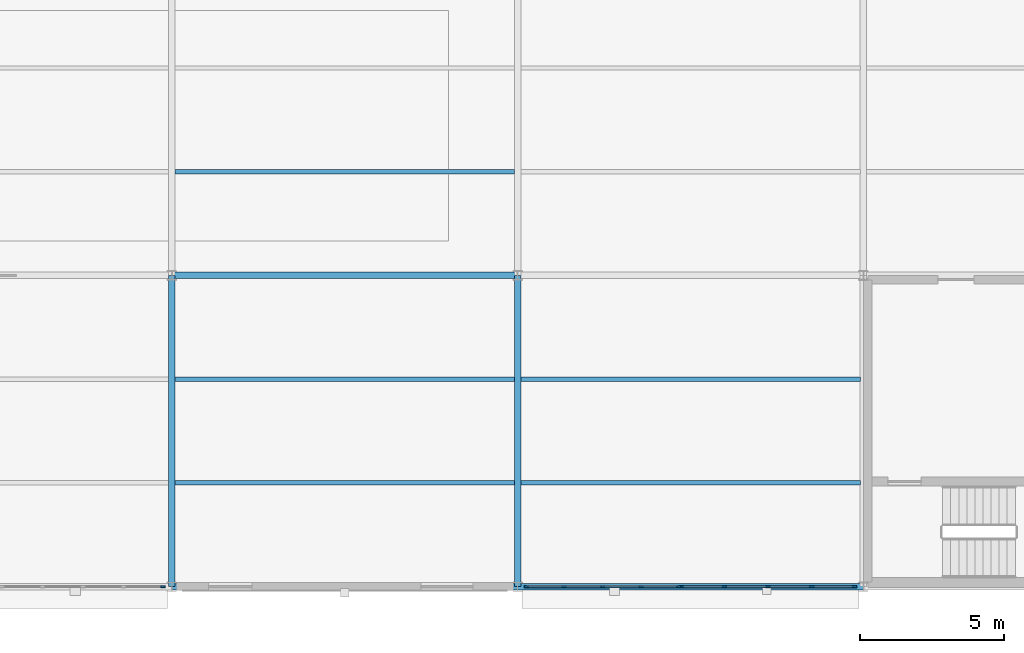
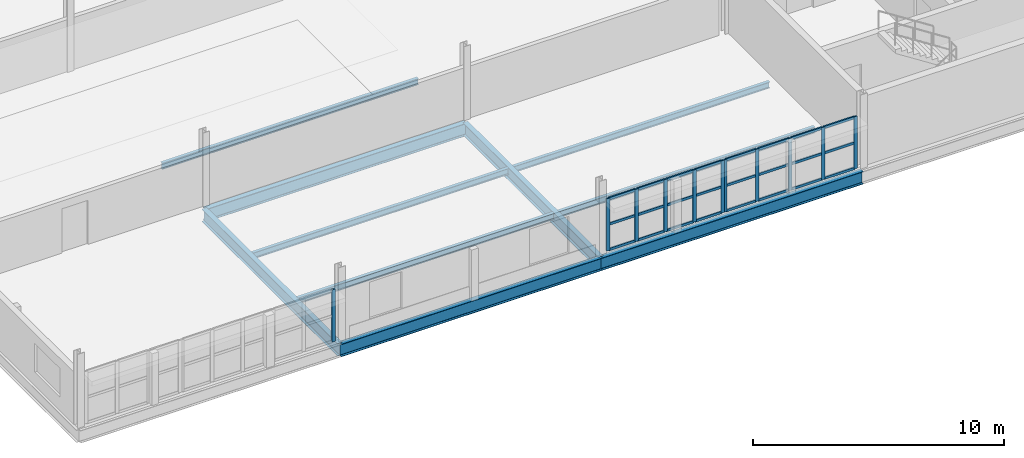
# One storey, part 46 of 101: 35 members, 10 beams, 3 elements without a shape of their own.
"""IFC4 building model written with IfcOpenShell, lengths in metres."""

from ifc_helpers import new_model, si_unit, direction, frame, origin, origin_2d, place, context, subcontext, project, spatial, rectangle, i_section, extrude, material, layer, layer_set, material_profile, profile_set, type_object, element, aggregate, save


model = new_model("IFC4")

# Units and contexts
model_context = context("Model", 3, precision=1e-05, world=origin(), true_north=direction((0.0, 1.0)))
body_context = subcontext(model_context, "Body", "Model", "MODEL_VIEW")
ifc_project = project(units=[si_unit("LENGTHUNIT", "METRE"), si_unit("AREAUNIT", "SQUARE_METRE"), si_unit("VOLUMEUNIT", "CUBIC_METRE"), si_unit("PLANEANGLEUNIT", "RADIAN"), si_unit("MASSUNIT", "GRAM", prefix="KILO"), si_unit("THERMODYNAMICTEMPERATUREUNIT", "KELVIN"), si_unit("POWERUNIT", "WATT")], contexts=[model_context])

# Site, building, storey
site_placement = place(None, origin())
site = spatial("IfcSite", under=ifc_project, at=site_placement, CompositionType="ELEMENT")
building_placement = place(site_placement, origin())
building = spatial("IfcBuilding", under=site, at=building_placement, Name="Tembeka Court Mobility Hub", CompositionType="ELEMENT")
storey_placement = place(building_placement, frame((0.0, 0.0, 5.39990234375)))
storey = spatial("IfcBuildingStorey", under=building, at=storey_placement, Name="L01", CompositionType="ELEMENT", Elevation=5.39990234375)

# Beams
ifc_material_1 = material(Name="Steel S355", Category="steel")
ifc_material_profile_1 = material_profile(ifc_material_1, i_section(OverallWidth=0.22900390625, OverallDepth=0.612060546875, WebThickness=0.011962890625, FlangeThickness=0.01953125, FilletRadius=0.0126953125, at=origin_2d()), Name="UKB 610x229x125")
ifc_profile_set_1 = profile_set([ifc_material_profile_1], Name="Steel S355")
beam_type_1 = type_object("IfcBeamType", Name="BM-G02", PredefinedType="USERDEFINED", material=ifc_profile_set_1)
for number, where, z_axis, x_axis, name in (
    (1, (128.39990234375, 0.0, -0.495849609375), (1.0, 0.0, 0.0), (0.0, 1.0, 0.0), "Beam G02 (BM-L01-X0617)"),
    (2, (140.39990234375, 0.0, -0.495849609375), (1.0, 0.0, 0.0), (0.0, 1.0, 0.0), "Beam G02 (BM-L01-X0618)"),
    (3, (128.39990234375, 10.800048828125, -0.495849609375), (1.0, 0.0, 0.0), (0.0, 1.0, 0.0), "Beam G02 (BM-L01-X0625)"),
):
    element("IfcBeam", number, at=place(storey_placement, frame(where, z_axis=z_axis, x_axis=x_axis)), inside=storey, type_object=beam_type_1, Name=name, ObjectType="GIRDER", PredefinedType="USERDEFINED", context=body_context, shape_type="SweptSolid", body=[
        extrude(i_section(OverallWidth=0.22900390625, OverallDepth=0.612060546875, WebThickness=0.011962890625, FlangeThickness=0.01953125, FilletRadius=0.0126953125, at=origin_2d()), origin(), (0.0, 0.0, 1.0), 12.0),
    ])
for number, where, z_axis, x_axis, name in (
    (4, (128.39990234375, 0.0, -0.495849609375), (0.0, 1.0, 0.0), (-1.0, 0.0, 0.0), "Beam G02 (BM-L01-Y0880)"),
    (5, (140.39990234375, 0.0, -0.495849609375), (0.0, 1.0, 0.0), (-1.0, 0.0, 0.0), "Beam G02 (BM-L01-Y0888)"),
):
    element("IfcBeam", number, at=place(storey_placement, frame(where, z_axis=z_axis, x_axis=x_axis)), inside=storey, type_object=beam_type_1, Name=name, ObjectType="GIRDER", PredefinedType="USERDEFINED", context=body_context, shape_type="SweptSolid", body=[
        extrude(i_section(OverallWidth=0.22900390625, OverallDepth=0.612060546875, WebThickness=0.011962890625, FlangeThickness=0.01953125, FilletRadius=0.0126953125, at=origin_2d()), origin(), (0.0, 0.0, 1.0), 10.800048828125),
    ])
ifc_material_profile_2 = material_profile(ifc_material_1, i_section(OverallWidth=0.14990234375, OverallDepth=0.300048828125, WebThickness=0.007080078125, FlangeThickness=0.0107421875, FilletRadius=0.014892578125, at=origin_2d()), Name="IPE 300")
ifc_profile_set_2 = profile_set([ifc_material_profile_2], Name="Steel S355")
beam_type_2 = type_object("IfcBeamType", Name="BM-J04", PredefinedType="JOIST", material=ifc_profile_set_2)
for number, where, z_axis, x_axis, name in (
    (6, (128.509521484375, 3.60009765625, -0.33984375), (1.0, 0.0, 0.0), (0.0, 1.0, 0.0), "Beam J04 (JST-L01-1122)"),
    (7, (128.509521484375, 7.199951171875, -0.33984375), (1.0, 0.0, 0.0), (0.0, 1.0, 0.0), "Beam J04 (JST-L01-1123)"),
    (8, (128.509521484375, 14.39990234375, -0.33984375), (1.0, 0.0, 0.0), (0.0, 1.0, 0.0), "Beam J04 (JST-L01-1124)"),
    (9, (140.509521484375, 3.60009765625, -0.33984375), (1.0, 0.0, 0.0), (0.0, 1.0, 0.0), "Beam J04 (JST-L01-1137)"),
    (10, (140.509521484375, 7.199951171875, -0.33984375), (1.0, 0.0, 0.0), (0.0, 1.0, 0.0), "Beam J04 (JST-L01-1138)"),
):
    element("IfcBeam", number, at=place(storey_placement, frame(where, z_axis=z_axis, x_axis=x_axis)), inside=storey, type_object=beam_type_2, Name=name, PredefinedType="JOIST", context=body_context, shape_type="SweptSolid", body=[
        extrude(i_section(OverallWidth=0.14990234375, OverallDepth=0.300048828125, WebThickness=0.007080078125, FlangeThickness=0.0107421875, FilletRadius=0.014892578125, at=origin_2d()), origin(), (0.0, 0.0, 1.0), 11.781005859375),
    ])

# Curtain wall, member
ifc_material_2 = material(Name="Anodised aluminium 6063-T6", Category="aluminium")
ifc_layer_1 = layer(ifc_material_2, 0.159912109375)
ifc_layer_set_1 = layer_set([ifc_layer_1], Name="Anodised aluminium 6063-T6")
curtain_wall_type_1 = type_object("IfcCurtainWallType", Name="CW-SYS38", PredefinedType="USERDEFINED", material=ifc_layer_set_1)
curtain_wall_1_placement = place(storey_placement, origin())
curtain_wall_1 = element("IfcCurtainWall", 11, at=curtain_wall_1_placement, inside=storey, type_object=curtain_wall_type_1, Name="Unitised curtain wall CW38 (CW-L01-106)", ObjectType="UNITISED GLAZING", PredefinedType="USERDEFINED")
ifc_material_profile_3 = material_profile(ifc_material_2, rectangle(XDim=0.06494140625, YDim=0.159912109375, at=origin_2d()), Name="ALU-MUL 65x160")
ifc_profile_set_3 = profile_set([ifc_material_profile_3], Name="Anodised aluminium 6063-T6")
member_type_1 = type_object("IfcMemberType", Name="CW-MUL01", PredefinedType="MULLION", material=ifc_profile_set_3)
member_1_placement = place(storey_placement, frame((128.08740234375, 0.0, 0.0), z_axis=(0.0, 0.0, 1.0), x_axis=(0.0, 1.0, 0.0)))
member_1 = element("IfcMember", 12, at=member_1_placement, type_object=member_type_1, Name="CW38 mullion 6", PredefinedType="MULLION", context=body_context, shape_type="SweptSolid", body=[
    extrude(rectangle(XDim=0.06494140625, YDim=0.159912109375, at=origin_2d()), origin(), (0.0, 0.0, 1.0), 2.53515625),
])
aggregate(curtain_wall_1, [member_1])

# Curtain wall, members
ifc_layer_2 = layer(ifc_material_2, 0.159912109375)
ifc_layer_set_2 = layer_set([ifc_layer_2], Name="Anodised aluminium 6063-T6")
curtain_wall_type_2 = type_object("IfcCurtainWallType", Name="CW-SYS39", PredefinedType="USERDEFINED", material=ifc_layer_set_2)
curtain_wall_2_placement = place(storey_placement, origin())
curtain_wall_2 = element("IfcCurtainWall", 13, at=curtain_wall_2_placement, inside=storey, type_object=curtain_wall_type_2, Name="Unitised curtain wall CW39 (CW-L01-107)", ObjectType="UNITISED GLAZING", PredefinedType="USERDEFINED")
member_2_placement = place(storey_placement, frame((140.71240234375, 0.0, 0.0), z_axis=(0.0, 0.0, 1.0), x_axis=(0.0, 1.0, 0.0)))
member_2 = element("IfcMember", 14, at=member_2_placement, type_object=member_type_1, Name="CW39 mullion 1", PredefinedType="MULLION", context=body_context, shape_type="SweptSolid", body=[
    extrude(rectangle(XDim=0.06494140625, YDim=0.159912109375, at=origin_2d()), origin(), (0.0, 0.0, 1.0), 2.53515625),
])
member_3_placement = place(storey_placement, frame((142.014892578125, 0.0, 0.0), z_axis=(0.0, 0.0, 1.0), x_axis=(0.0, 1.0, 0.0)))
member_3 = element("IfcMember", 15, at=member_3_placement, type_object=member_type_1, Name="CW39 mullion 2", PredefinedType="MULLION", context=body_context, shape_type="SweptSolid", body=[
    extrude(rectangle(XDim=0.06494140625, YDim=0.159912109375, at=origin_2d()), origin(), (0.0, 0.0, 1.0), 2.53515625),
])
member_4_placement = place(storey_placement, frame((143.35009765625, 0.0, 0.0), z_axis=(0.0, 0.0, 1.0), x_axis=(0.0, 1.0, 0.0)))
member_4 = element("IfcMember", 16, at=member_4_placement, type_object=member_type_1, Name="CW39 mullion 3", PredefinedType="MULLION", context=body_context, shape_type="SweptSolid", body=[
    extrude(rectangle(XDim=0.06494140625, YDim=0.159912109375, at=origin_2d()), origin(), (0.0, 0.0, 1.0), 2.53515625),
])
member_5_placement = place(storey_placement, frame((144.68505859375, 0.0, 0.0), z_axis=(0.0, 0.0, 1.0), x_axis=(0.0, 1.0, 0.0)))
member_5 = element("IfcMember", 17, at=member_5_placement, type_object=member_type_1, Name="CW39 mullion 4", PredefinedType="MULLION", context=body_context, shape_type="SweptSolid", body=[
    extrude(rectangle(XDim=0.06494140625, YDim=0.159912109375, at=origin_2d()), origin(), (0.0, 0.0, 1.0), 2.53515625),
])
member_6_placement = place(storey_placement, frame((145.987548828125, 0.0, 0.0), z_axis=(0.0, 0.0, 1.0), x_axis=(0.0, 1.0, 0.0)))
member_6 = element("IfcMember", 18, at=member_6_placement, type_object=member_type_1, Name="CW39 mullion 5", PredefinedType="MULLION", context=body_context, shape_type="SweptSolid", body=[
    extrude(rectangle(XDim=0.06494140625, YDim=0.159912109375, at=origin_2d()), origin(), (0.0, 0.0, 1.0), 2.53515625),
])

ifc_layer_3 = layer(ifc_material_2, 0.159912109375)
ifc_layer_set_3 = layer_set([ifc_layer_3], Name="Anodised aluminium 6063-T6")
curtain_wall_type_3 = type_object("IfcCurtainWallType", Name="CW-SYS40", PredefinedType="USERDEFINED", material=ifc_layer_set_3)
curtain_wall_3_placement = place(storey_placement, origin())
curtain_wall_3 = element("IfcCurtainWall", 19, at=curtain_wall_3_placement, inside=storey, type_object=curtain_wall_type_3, Name="Unitised curtain wall CW40 (CW-L01-108)", ObjectType="UNITISED GLAZING", PredefinedType="USERDEFINED")
member_7_placement = place(storey_placement, frame((146.092529296875, 0.0, 0.0), z_axis=(0.0, 0.0, 1.0), x_axis=(0.0, 1.0, 0.0)))
member_7 = element("IfcMember", 20, at=member_7_placement, type_object=member_type_1, Name="CW40 mullion 1", PredefinedType="MULLION", context=body_context, shape_type="SweptSolid", body=[
    extrude(rectangle(XDim=0.06494140625, YDim=0.159912109375, at=origin_2d()), origin(), (0.0, 0.0, 1.0), 2.53515625),
])
member_8_placement = place(storey_placement, frame((147.574951171875, 0.0, 0.0), z_axis=(0.0, 0.0, 1.0), x_axis=(0.0, 1.0, 0.0)))
member_8 = element("IfcMember", 21, at=member_8_placement, type_object=member_type_1, Name="CW40 mullion 2", PredefinedType="MULLION", context=body_context, shape_type="SweptSolid", body=[
    extrude(rectangle(XDim=0.06494140625, YDim=0.159912109375, at=origin_2d()), origin(), (0.0, 0.0, 1.0), 2.53515625),
])
member_9_placement = place(storey_placement, frame((149.090087890625, 0.0, 0.0), z_axis=(0.0, 0.0, 1.0), x_axis=(0.0, 1.0, 0.0)))
member_9 = element("IfcMember", 22, at=member_9_placement, type_object=member_type_1, Name="CW40 mullion 3", PredefinedType="MULLION", context=body_context, shape_type="SweptSolid", body=[
    extrude(rectangle(XDim=0.06494140625, YDim=0.159912109375, at=origin_2d()), origin(), (0.0, 0.0, 1.0), 2.53515625),
])
member_10_placement = place(storey_placement, frame((150.60498046875, 0.0, 0.0), z_axis=(0.0, 0.0, 1.0), x_axis=(0.0, 1.0, 0.0)))
member_10 = element("IfcMember", 23, at=member_10_placement, type_object=member_type_1, Name="CW40 mullion 4", PredefinedType="MULLION", context=body_context, shape_type="SweptSolid", body=[
    extrude(rectangle(XDim=0.06494140625, YDim=0.159912109375, at=origin_2d()), origin(), (0.0, 0.0, 1.0), 2.53515625),
])
member_11_placement = place(storey_placement, frame((152.08740234375, 0.0, 0.0), z_axis=(0.0, 0.0, 1.0), x_axis=(0.0, 1.0, 0.0)))
member_11 = element("IfcMember", 24, at=member_11_placement, type_object=member_type_1, Name="CW40 mullion 5", PredefinedType="MULLION", context=body_context, shape_type="SweptSolid", body=[
    extrude(rectangle(XDim=0.06494140625, YDim=0.159912109375, at=origin_2d()), origin(), (0.0, 0.0, 1.0), 2.53515625),
])

# Member
ifc_material_profile_4 = material_profile(ifc_material_2, rectangle(XDim=0.06494140625, YDim=0.1201171875, at=origin_2d()), Name="ALU-TRN 65x120")
ifc_profile_set_4 = profile_set([ifc_material_profile_4], Name="Anodised aluminium 6063-T6")
member_type_2 = type_object("IfcMemberType", Name="CW-TRN01", PredefinedType="USERDEFINED", material=ifc_profile_set_4)
member_12_placement = place(storey_placement, frame((140.7451171875, 0.0, 0.03271484375), z_axis=(1.0, 0.0, 0.0), x_axis=(0.0, 1.0, 0.0)))
member_12 = element("IfcMember", 25, at=member_12_placement, type_object=member_type_2, Name="CW39 transom 1.1", ObjectType="TRANSOM", PredefinedType="USERDEFINED", context=body_context, shape_type="SweptSolid", body=[
    extrude(rectangle(XDim=0.06494140625, YDim=0.1201171875, at=origin_2d()), origin(), (0.0, 0.0, 1.0), 1.2373046875),
])

member_13_placement = place(storey_placement, frame((140.7451171875, 0.0, 1.267578125), z_axis=(1.0, 0.0, 0.0), x_axis=(0.0, 1.0, 0.0)))
member_13 = element("IfcMember", 26, at=member_13_placement, type_object=member_type_2, Name="CW39 transom 1.2", ObjectType="TRANSOM", PredefinedType="USERDEFINED", context=body_context, shape_type="SweptSolid", body=[
    extrude(rectangle(XDim=0.06494140625, YDim=0.1201171875, at=origin_2d()), origin(), (0.0, 0.0, 1.0), 1.2373046875),
])

member_14_placement = place(storey_placement, frame((140.7451171875, 0.0, 2.502685546875), z_axis=(1.0, 0.0, 0.0), x_axis=(0.0, 1.0, 0.0)))
member_14 = element("IfcMember", 27, at=member_14_placement, type_object=member_type_2, Name="CW39 transom 1.3", ObjectType="TRANSOM", PredefinedType="USERDEFINED", context=body_context, shape_type="SweptSolid", body=[
    extrude(rectangle(XDim=0.06494140625, YDim=0.1201171875, at=origin_2d()), origin(), (0.0, 0.0, 1.0), 1.2373046875),
])

member_15_placement = place(storey_placement, frame((142.047607421875, 0.0, 0.03271484375), z_axis=(1.0, 0.0, 0.0), x_axis=(0.0, 1.0, 0.0)))
member_15 = element("IfcMember", 28, at=member_15_placement, type_object=member_type_2, Name="CW39 transom 2.1", ObjectType="TRANSOM", PredefinedType="USERDEFINED", context=body_context, shape_type="SweptSolid", body=[
    extrude(rectangle(XDim=0.06494140625, YDim=0.1201171875, at=origin_2d()), origin(), (0.0, 0.0, 1.0), 1.269775390625),
])

member_16_placement = place(storey_placement, frame((142.047607421875, 0.0, 1.267578125), z_axis=(1.0, 0.0, 0.0), x_axis=(0.0, 1.0, 0.0)))
member_16 = element("IfcMember", 29, at=member_16_placement, type_object=member_type_2, Name="CW39 transom 2.2", ObjectType="TRANSOM", PredefinedType="USERDEFINED", context=body_context, shape_type="SweptSolid", body=[
    extrude(rectangle(XDim=0.06494140625, YDim=0.1201171875, at=origin_2d()), origin(), (0.0, 0.0, 1.0), 1.269775390625),
])

member_17_placement = place(storey_placement, frame((142.047607421875, 0.0, 2.502685546875), z_axis=(1.0, 0.0, 0.0), x_axis=(0.0, 1.0, 0.0)))
member_17 = element("IfcMember", 30, at=member_17_placement, type_object=member_type_2, Name="CW39 transom 2.3", ObjectType="TRANSOM", PredefinedType="USERDEFINED", context=body_context, shape_type="SweptSolid", body=[
    extrude(rectangle(XDim=0.06494140625, YDim=0.1201171875, at=origin_2d()), origin(), (0.0, 0.0, 1.0), 1.269775390625),
])

member_18_placement = place(storey_placement, frame((143.382568359375, 0.0, 0.03271484375), z_axis=(1.0, 0.0, 0.0), x_axis=(0.0, 1.0, 0.0)))
member_18 = element("IfcMember", 31, at=member_18_placement, type_object=member_type_2, Name="CW39 transom 3.1", ObjectType="TRANSOM", PredefinedType="USERDEFINED", context=body_context, shape_type="SweptSolid", body=[
    extrude(rectangle(XDim=0.06494140625, YDim=0.1201171875, at=origin_2d()), origin(), (0.0, 0.0, 1.0), 1.27001953125),
])

member_19_placement = place(storey_placement, frame((143.382568359375, 0.0, 1.267578125), z_axis=(1.0, 0.0, 0.0), x_axis=(0.0, 1.0, 0.0)))
member_19 = element("IfcMember", 32, at=member_19_placement, type_object=member_type_2, Name="CW39 transom 3.2", ObjectType="TRANSOM", PredefinedType="USERDEFINED", context=body_context, shape_type="SweptSolid", body=[
    extrude(rectangle(XDim=0.06494140625, YDim=0.1201171875, at=origin_2d()), origin(), (0.0, 0.0, 1.0), 1.27001953125),
])

member_20_placement = place(storey_placement, frame((143.382568359375, 0.0, 2.502685546875), z_axis=(1.0, 0.0, 0.0), x_axis=(0.0, 1.0, 0.0)))
member_20 = element("IfcMember", 33, at=member_20_placement, type_object=member_type_2, Name="CW39 transom 3.3", ObjectType="TRANSOM", PredefinedType="USERDEFINED", context=body_context, shape_type="SweptSolid", body=[
    extrude(rectangle(XDim=0.06494140625, YDim=0.1201171875, at=origin_2d()), origin(), (0.0, 0.0, 1.0), 1.27001953125),
])

member_21_placement = place(storey_placement, frame((144.717529296875, 0.0, 0.03271484375), z_axis=(1.0, 0.0, 0.0), x_axis=(0.0, 1.0, 0.0)))
member_21 = element("IfcMember", 34, at=member_21_placement, type_object=member_type_2, Name="CW39 transom 4.1", ObjectType="TRANSOM", PredefinedType="USERDEFINED", context=body_context, shape_type="SweptSolid", body=[
    extrude(rectangle(XDim=0.06494140625, YDim=0.1201171875, at=origin_2d()), origin(), (0.0, 0.0, 1.0), 1.237548828125),
])

member_22_placement = place(storey_placement, frame((144.717529296875, 0.0, 1.267578125), z_axis=(1.0, 0.0, 0.0), x_axis=(0.0, 1.0, 0.0)))
member_22 = element("IfcMember", 35, at=member_22_placement, type_object=member_type_2, Name="CW39 transom 4.2", ObjectType="TRANSOM", PredefinedType="USERDEFINED", context=body_context, shape_type="SweptSolid", body=[
    extrude(rectangle(XDim=0.06494140625, YDim=0.1201171875, at=origin_2d()), origin(), (0.0, 0.0, 1.0), 1.237548828125),
])

member_23_placement = place(storey_placement, frame((144.717529296875, 0.0, 2.502685546875), z_axis=(1.0, 0.0, 0.0), x_axis=(0.0, 1.0, 0.0)))
member_23 = element("IfcMember", 36, at=member_23_placement, type_object=member_type_2, Name="CW39 transom 4.3", ObjectType="TRANSOM", PredefinedType="USERDEFINED", context=body_context, shape_type="SweptSolid", body=[
    extrude(rectangle(XDim=0.06494140625, YDim=0.1201171875, at=origin_2d()), origin(), (0.0, 0.0, 1.0), 1.237548828125),
])

aggregate(curtain_wall_2, [member_2, member_3, member_4, member_5, member_6, member_12, member_13, member_14, member_15, member_16, member_17, member_18, member_19, member_20, member_21, member_22, member_23])

member_24_placement = place(storey_placement, frame((146.125, 0.0, 0.03271484375), z_axis=(1.0, 0.0, 0.0), x_axis=(0.0, 1.0, 0.0)))
member_24 = element("IfcMember", 37, at=member_24_placement, type_object=member_type_2, Name="CW40 transom 1.1", ObjectType="TRANSOM", PredefinedType="USERDEFINED", context=body_context, shape_type="SweptSolid", body=[
    extrude(rectangle(XDim=0.06494140625, YDim=0.1201171875, at=origin_2d()), origin(), (0.0, 0.0, 1.0), 1.41748046875),
])

member_25_placement = place(storey_placement, frame((146.125, 0.0, 1.267578125), z_axis=(1.0, 0.0, 0.0), x_axis=(0.0, 1.0, 0.0)))
member_25 = element("IfcMember", 38, at=member_25_placement, type_object=member_type_2, Name="CW40 transom 1.2", ObjectType="TRANSOM", PredefinedType="USERDEFINED", context=body_context, shape_type="SweptSolid", body=[
    extrude(rectangle(XDim=0.06494140625, YDim=0.1201171875, at=origin_2d()), origin(), (0.0, 0.0, 1.0), 1.41748046875),
])

member_26_placement = place(storey_placement, frame((146.125, 0.0, 2.502685546875), z_axis=(1.0, 0.0, 0.0), x_axis=(0.0, 1.0, 0.0)))
member_26 = element("IfcMember", 39, at=member_26_placement, type_object=member_type_2, Name="CW40 transom 1.3", ObjectType="TRANSOM", PredefinedType="USERDEFINED", context=body_context, shape_type="SweptSolid", body=[
    extrude(rectangle(XDim=0.06494140625, YDim=0.1201171875, at=origin_2d()), origin(), (0.0, 0.0, 1.0), 1.41748046875),
])

member_27_placement = place(storey_placement, frame((147.607421875, 0.0, 0.03271484375), z_axis=(1.0, 0.0, 0.0), x_axis=(0.0, 1.0, 0.0)))
member_27 = element("IfcMember", 40, at=member_27_placement, type_object=member_type_2, Name="CW40 transom 2.1", ObjectType="TRANSOM", PredefinedType="USERDEFINED", context=body_context, shape_type="SweptSolid", body=[
    extrude(rectangle(XDim=0.06494140625, YDim=0.1201171875, at=origin_2d()), origin(), (0.0, 0.0, 1.0), 1.4501953125),
])

member_28_placement = place(storey_placement, frame((147.607421875, 0.0, 1.267578125), z_axis=(1.0, 0.0, 0.0), x_axis=(0.0, 1.0, 0.0)))
member_28 = element("IfcMember", 41, at=member_28_placement, type_object=member_type_2, Name="CW40 transom 2.2", ObjectType="TRANSOM", PredefinedType="USERDEFINED", context=body_context, shape_type="SweptSolid", body=[
    extrude(rectangle(XDim=0.06494140625, YDim=0.1201171875, at=origin_2d()), origin(), (0.0, 0.0, 1.0), 1.4501953125),
])

member_29_placement = place(storey_placement, frame((147.607421875, 0.0, 2.502685546875), z_axis=(1.0, 0.0, 0.0), x_axis=(0.0, 1.0, 0.0)))
member_29 = element("IfcMember", 42, at=member_29_placement, type_object=member_type_2, Name="CW40 transom 2.3", ObjectType="TRANSOM", PredefinedType="USERDEFINED", context=body_context, shape_type="SweptSolid", body=[
    extrude(rectangle(XDim=0.06494140625, YDim=0.1201171875, at=origin_2d()), origin(), (0.0, 0.0, 1.0), 1.4501953125),
])

member_30_placement = place(storey_placement, frame((149.12255859375, 0.0, 0.03271484375), z_axis=(1.0, 0.0, 0.0), x_axis=(0.0, 1.0, 0.0)))
member_30 = element("IfcMember", 43, at=member_30_placement, type_object=member_type_2, Name="CW40 transom 3.1", ObjectType="TRANSOM", PredefinedType="USERDEFINED", context=body_context, shape_type="SweptSolid", body=[
    extrude(rectangle(XDim=0.06494140625, YDim=0.1201171875, at=origin_2d()), origin(), (0.0, 0.0, 1.0), 1.449951171875),
])

member_31_placement = place(storey_placement, frame((149.12255859375, 0.0, 1.267578125), z_axis=(1.0, 0.0, 0.0), x_axis=(0.0, 1.0, 0.0)))
member_31 = element("IfcMember", 44, at=member_31_placement, type_object=member_type_2, Name="CW40 transom 3.2", ObjectType="TRANSOM", PredefinedType="USERDEFINED", context=body_context, shape_type="SweptSolid", body=[
    extrude(rectangle(XDim=0.06494140625, YDim=0.1201171875, at=origin_2d()), origin(), (0.0, 0.0, 1.0), 1.449951171875),
])

member_32_placement = place(storey_placement, frame((149.12255859375, 0.0, 2.502685546875), z_axis=(1.0, 0.0, 0.0), x_axis=(0.0, 1.0, 0.0)))
member_32 = element("IfcMember", 45, at=member_32_placement, type_object=member_type_2, Name="CW40 transom 3.3", ObjectType="TRANSOM", PredefinedType="USERDEFINED", context=body_context, shape_type="SweptSolid", body=[
    extrude(rectangle(XDim=0.06494140625, YDim=0.1201171875, at=origin_2d()), origin(), (0.0, 0.0, 1.0), 1.449951171875),
])

member_33_placement = place(storey_placement, frame((150.637451171875, 0.0, 0.03271484375), z_axis=(1.0, 0.0, 0.0), x_axis=(0.0, 1.0, 0.0)))
member_33 = element("IfcMember", 46, at=member_33_placement, type_object=member_type_2, Name="CW40 transom 4.1", ObjectType="TRANSOM", PredefinedType="USERDEFINED", context=body_context, shape_type="SweptSolid", body=[
    extrude(rectangle(XDim=0.06494140625, YDim=0.1201171875, at=origin_2d()), origin(), (0.0, 0.0, 1.0), 1.41748046875),
])

member_34_placement = place(storey_placement, frame((150.637451171875, 0.0, 1.267578125), z_axis=(1.0, 0.0, 0.0), x_axis=(0.0, 1.0, 0.0)))
member_34 = element("IfcMember", 47, at=member_34_placement, type_object=member_type_2, Name="CW40 transom 4.2", ObjectType="TRANSOM", PredefinedType="USERDEFINED", context=body_context, shape_type="SweptSolid", body=[
    extrude(rectangle(XDim=0.06494140625, YDim=0.1201171875, at=origin_2d()), origin(), (0.0, 0.0, 1.0), 1.41748046875),
])

member_35_placement = place(storey_placement, frame((150.637451171875, 0.0, 2.502685546875), z_axis=(1.0, 0.0, 0.0), x_axis=(0.0, 1.0, 0.0)))
member_35 = element("IfcMember", 48, at=member_35_placement, type_object=member_type_2, Name="CW40 transom 4.3", ObjectType="TRANSOM", PredefinedType="USERDEFINED", context=body_context, shape_type="SweptSolid", body=[
    extrude(rectangle(XDim=0.06494140625, YDim=0.1201171875, at=origin_2d()), origin(), (0.0, 0.0, 1.0), 1.41748046875),
])

aggregate(curtain_wall_3, [member_7, member_8, member_9, member_10, member_11, member_24, member_25, member_26, member_27, member_28, member_29, member_30, member_31, member_32, member_33, member_34, member_35])

save(model, "model.ifc")
